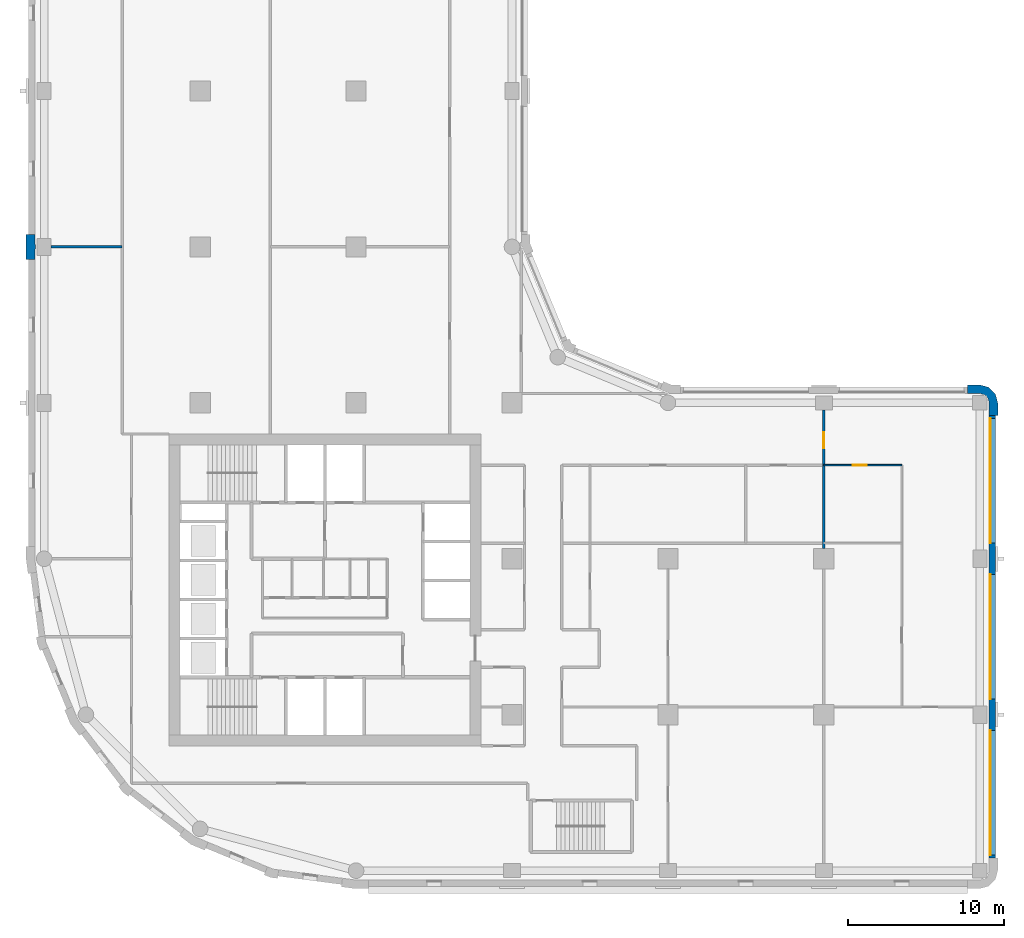
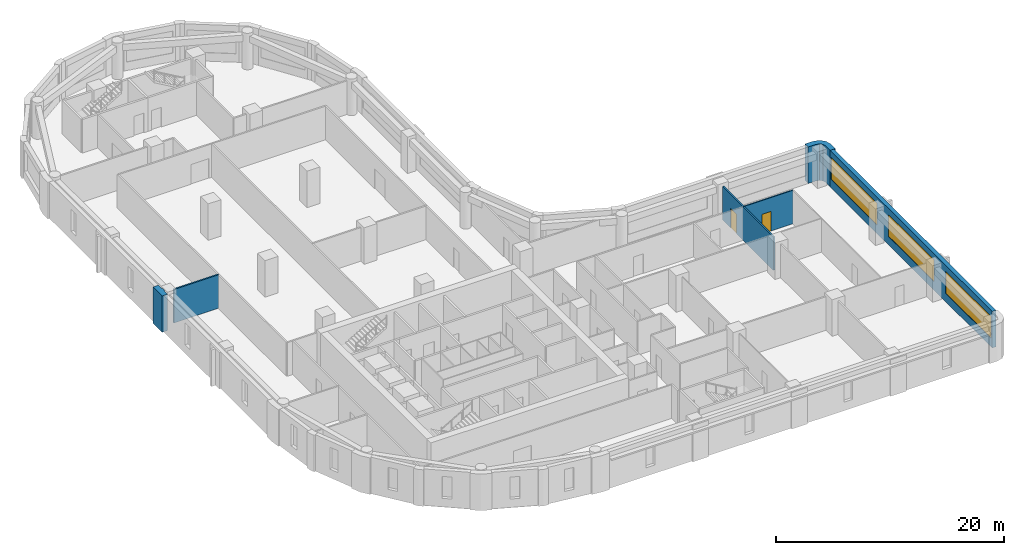
# One storey, part 5 of 10: 6 walls, 3 windows, 2 doors, 5 openings.
"""IFC4 building model written with IfcOpenShell, lengths in metres."""

from ifc_helpers import new_model, si_unit, direction, frame, frame_2d, origin, place, context, subcontext, project, spatial, polyline, rectangle, outline, extrude, material, layer, layer_set, type_object, element, fill, save


model = new_model("IFC4")

# Units and contexts
model_context = context("Model", 3, precision=1e-05, world=origin(), true_north=direction((0.0, 1.0)))
body_context = subcontext(model_context, "Body", "Model", "MODEL_VIEW")
ifc_project = project(units=[si_unit("LENGTHUNIT", "METRE"), si_unit("AREAUNIT", "SQUARE_METRE"), si_unit("VOLUMEUNIT", "CUBIC_METRE"), si_unit("PLANEANGLEUNIT", "RADIAN"), si_unit("MASSUNIT", "GRAM", prefix="KILO")], contexts=[model_context])

# Site, building, storey
site_placement = place(None, origin())
site = spatial("IfcSite", under=ifc_project, at=site_placement, CompositionType="ELEMENT")
building_placement = place(site_placement, origin())
building = spatial("IfcBuilding", under=site, at=building_placement, Name="Qaws Garden Tower", CompositionType="ELEMENT")
storey_placement = place(building_placement, frame((0.0, 0.0, 186.300048828125)))
storey = spatial("IfcBuildingStorey", under=building, at=storey_placement, Name="L45", CompositionType="ELEMENT", Elevation=186.300048828125)

# Wall
ifc_material_1 = material(Name="Clay facing brick masonry", Category="masonry")
ifc_layer_1 = layer(ifc_material_1, 0.550048828125)
ifc_layer_set_1 = layer_set([ifc_layer_1], Name="Clay facing brick masonry")
wall_type_1 = type_object("IfcWallType", Name="Brick corner pier 550 x 2400", PredefinedType="SOLIDWALL", material=ifc_layer_set_1)
placement = place(storey_placement, origin())
element("IfcWall", 1, at=placement, inside=storey, type_object=wall_type_1, Name="E-L45-pier-07", PredefinedType="SOLIDWALL", context=body_context, shape_type="SweptSolid", body=[
    extrude(outline(polyline([(61.0, 29.199951171875), (61.14990234375, 29.199951171875), (61.14990234375, 30.0), (60.995849609375, 30.574951171875), (60.574951171875, 30.995849609375), (60.0, 31.14990234375), (59.199951171875, 31.14990234375), (59.199951171875, 31.0), (59.199951171875, 30.60009765625), (60.0, 30.60009765625), (60.300048828125, 30.51953125), (60.51953125, 30.300048828125), (60.60009765625, 30.0), (60.60009765625, 29.199951171875), (61.0, 29.199951171875)])), origin(), (0.0, 0.0, 1.0), 3.89990234375),
])

# Wall, openings, windows
ifc_material_2 = material(Name="Clay facing brick masonry", Category="masonry")
ifc_layer_2 = layer(ifc_material_2, 0.39990234375)
ifc_layer_set_2 = layer_set([ifc_layer_2], Name="Clay facing brick masonry")
wall_type_2 = type_object("IfcWallType", Name="Brick infill wall 400", PredefinedType="SOLIDWALL", material=ifc_layer_set_2)
wall_2_placement = place(storey_placement, frame((60.800048828125, 0.800048828125, 0.0), z_axis=(0.0, 0.0, 1.0), x_axis=(0.0, 1.0, 0.0)))
wall_2 = element("IfcWall", 2, at=wall_2_placement, inside=storey, type_object=wall_type_2, Name="E-L45-infill-04", PredefinedType="SOLIDWALL", context=body_context, shape_type="SweptSolid", body=[
    extrude(rectangle(XDim=28.39990234375, YDim=0.39990234375, at=frame_2d((14.199951171875, 0.0))), origin(), (0.0, 0.0, 1.0), 3.89990234375),
])
opening_1_placement = place(wall_2_placement, frame((0.199951171875, 0.0, 0.89990234375)))
opening_1 = element("IfcOpeningElement", 3, at=opening_1_placement, cuts=wall_2, Name="Opening W01", PredefinedType="OPENING", context=body_context, shape_type="SweptSolid", body=[
    extrude(rectangle(XDim=8.0, YDim=2.35009765625, at=frame_2d((4.0, 1.175048828125))), frame((0.0, 0.2099609375, 0.0), z_axis=(0.0, -1.0, 0.0), x_axis=(1.0, 0.0, 0.0)), (0.0, 0.0, 1.0), 0.419921875),
])
opening_2_placement = place(wall_2_placement, frame((10.199951171875, 0.0, 0.89990234375)))
opening_2 = element("IfcOpeningElement", 4, at=opening_2_placement, cuts=wall_2, Name="Opening W01", PredefinedType="OPENING", context=body_context, shape_type="SweptSolid", body=[
    extrude(rectangle(XDim=8.0, YDim=2.35009765625, at=frame_2d((4.0, 1.175048828125))), frame((0.0, 0.2099609375, 0.0), z_axis=(0.0, -1.0, 0.0), x_axis=(1.0, 0.0, 0.0)), (0.0, 0.0, 1.0), 0.419921875),
])
opening_3_placement = place(wall_2_placement, frame((20.199951171875, 0.0, 0.89990234375)))
opening_3 = element("IfcOpeningElement", 5, at=opening_3_placement, cuts=wall_2, Name="Opening W01", PredefinedType="OPENING", context=body_context, shape_type="SweptSolid", body=[
    extrude(rectangle(XDim=8.0, YDim=2.35009765625, at=frame_2d((4.0, 1.175048828125))), frame((0.0, 0.2099609375, 0.0), z_axis=(0.0, -1.0, 0.0), x_axis=(1.0, 0.0, 0.0)), (0.0, 0.0, 1.0), 0.419921875),
])
ifc_material_3 = material(Name="Aluminium framed window, clear glazing", Category="aluminium")
window_type = type_object("IfcWindowType", Name="Ribbon window 8000 x 2350", PartitioningType="DOUBLE_PANEL_VERTICAL", PredefinedType="WINDOW", material=ifc_material_3)
window_1_placement = place(opening_1_placement, origin())
window_1 = element("IfcWindow", 6, at=window_1_placement, inside=storey, type_object=window_type, Name="E-L45-window-04-0", OverallHeight=2.35009765625, OverallWidth=8.0, PartitioningType="SINGLE_PANEL", PredefinedType="WINDOW", context=body_context, shape_type="SweptSolid", body=[
    extrude(rectangle(XDim=8.0, YDim=2.35009765625, at=frame_2d((4.0, 1.175048828125))), frame((0.0, 0.159912109375, 0.0), z_axis=(0.0, -1.0, 0.0), x_axis=(1.0, 0.0, 0.0)), (0.0, 0.0, 1.0), 0.06005859375),
])
fill(opening_1, window_1)
window_2_placement = place(opening_2_placement, origin())
window_2 = element("IfcWindow", 7, at=window_2_placement, inside=storey, type_object=window_type, Name="E-L45-window-05-0", OverallHeight=2.35009765625, OverallWidth=8.0, PartitioningType="SINGLE_PANEL", PredefinedType="WINDOW", context=body_context, shape_type="SweptSolid", body=[
    extrude(rectangle(XDim=8.0, YDim=2.35009765625, at=frame_2d((4.0, 1.175048828125))), frame((0.0, 0.159912109375, 0.0), z_axis=(0.0, -1.0, 0.0), x_axis=(1.0, 0.0, 0.0)), (0.0, 0.0, 1.0), 0.06005859375),
])
fill(opening_2, window_2)
window_3_placement = place(opening_3_placement, origin())
window_3 = element("IfcWindow", 8, at=window_3_placement, inside=storey, type_object=window_type, Name="E-L45-window-06-0", OverallHeight=2.35009765625, OverallWidth=8.0, PartitioningType="SINGLE_PANEL", PredefinedType="WINDOW", context=body_context, shape_type="SweptSolid", body=[
    extrude(rectangle(XDim=8.0, YDim=2.35009765625, at=frame_2d((4.0, 1.175048828125))), frame((0.0, 0.159912109375, 0.0), z_axis=(0.0, -1.0, 0.0), x_axis=(1.0, 0.0, 0.0)), (0.0, 0.0, 1.0), 0.06005859375),
])
fill(opening_3, window_3)

# Wall
ifc_material_4 = material(Name="Clay facing brick masonry", Category="masonry")
ifc_layer_3 = layer(ifc_material_4, 0.550048828125)
ifc_layer_set_3 = layer_set([ifc_layer_3], Name="Clay facing brick masonry")
wall_type_3 = type_object("IfcWallType", Name="Brick pier 550 x 1600", PredefinedType="SOLIDWALL", material=ifc_layer_set_3)
element("IfcWall", 9, at=placement, inside=storey, type_object=wall_type_3, Name="E-L45-pier-23", PredefinedType="SOLIDWALL", context=body_context, shape_type="SweptSolid", body=[
    extrude(outline(polyline([(-0.60009765625, 39.199951171875), (-0.60009765625, 39.85009765625), (-0.550048828125, 39.85009765625), (-0.550048828125, 40.14990234375), (-0.60009765625, 40.14990234375), (-0.60009765625, 40.800048828125), (-1.0, 40.800048828125), (-1.14990234375, 40.800048828125), (-1.14990234375, 40.0), (-1.14990234375, 39.199951171875), (-1.0, 39.199951171875), (-0.60009765625, 39.199951171875)])), origin(), (0.0, 0.0, 1.0), 3.89990234375),
])

# Wall, opening, door
ifc_material_5 = material(Name="Gypsum board partition")
ifc_layer_4 = layer(ifc_material_5, 0.10009765625)
ifc_layer_set_4 = layer_set([ifc_layer_4], Name="Gypsum board partition")
wall_type_4 = type_object("IfcWallType", Name="PARTITION 100", PredefinedType="PARTITIONING", material=ifc_layer_set_4)
wall_4_placement = place(storey_placement, frame((50.0, 26.0, 0.0), z_axis=(0.0, 0.0, 1.0), x_axis=(1.0, 0.0, 0.0)))
wall_4 = element("IfcWall", 10, at=wall_4_placement, inside=storey, type_object=wall_type_4, Name="O-L45-wall-007", PredefinedType="PARTITIONING", context=body_context, shape_type="SweptSolid", body=[
    extrude(rectangle(XDim=5.0, YDim=0.10009765625, at=frame_2d((2.5, 0.0))), origin(), (0.0, 0.0, 1.0), 3.579833984375),
])
opening_4_placement = place(wall_4_placement, frame((1.85009765625, 0.0, 0.0)))
opening_4 = element("IfcOpeningElement", 11, at=opening_4_placement, cuts=wall_4, Name="Opening B524", PredefinedType="OPENING", context=body_context, shape_type="SweptSolid", body=[
    extrude(rectangle(XDim=0.89990234375, YDim=2.10009765625, at=frame_2d((0.449951171875, 1.050048828125))), frame((0.0, 0.06005859375, 0.0), z_axis=(0.0, -1.0, 0.0), x_axis=(1.0, 0.0, 0.0)), (0.0, 0.0, 1.0), 0.1201171875),
])
ifc_material_6 = material(Name="Timber door leaf", Category="wood")
door_type_1 = type_object("IfcDoorType", Name="OFFICE DOOR 900 X 2100", OperationType="SINGLE_SWING_LEFT", PredefinedType="DOOR", material=ifc_material_6)
door_1_placement = place(opening_4_placement, frame((0.89990234375, 0.0, 0.0), z_axis=(0.0, 0.0, 1.0), x_axis=(-1.0, 0.0, 0.0)))
door_1 = element("IfcDoor", 12, at=door_1_placement, inside=storey, type_object=door_type_1, Name="O-L45-door-024", OperationType="SINGLE_SWING_RIGHT", OverallHeight=2.10009765625, OverallWidth=0.89990234375, PredefinedType="DOOR", context=body_context, shape_type="SweptSolid", body=[
    extrude(rectangle(XDim=0.89990234375, YDim=2.10009765625, at=frame_2d((0.449951171875, 1.050048828125))), frame((0.0, 0.02490234375, 0.0), z_axis=(0.0, -1.0, 0.0), x_axis=(1.0, 0.0, 0.0)), (0.0, 0.0, 1.0), 0.050048828125),
])
fill(opening_4, door_1)

ifc_material_7 = material(Name="Gypsum board partition")
ifc_layer_5 = layer(ifc_material_7, 0.14990234375)
ifc_layer_set_5 = layer_set([ifc_layer_5], Name="Gypsum board partition")
wall_type_5 = type_object("IfcWallType", Name="PARTITION 150 EI 60", PredefinedType="PARTITIONING", material=ifc_layer_set_5)
wall_5_placement = place(storey_placement, frame((50.0, 20.64990234375, 0.0), z_axis=(0.0, 0.0, 1.0), x_axis=(0.0, 1.0, 0.0)))
wall_5 = element("IfcWall", 13, at=wall_5_placement, inside=storey, type_object=wall_type_5, Name="O-L45-wall-027", PredefinedType="PARTITIONING", context=body_context, shape_type="SweptSolid", body=[
    extrude(rectangle(XDim=8.900146484375, YDim=0.14990234375, at=frame_2d((4.4501953125, 0.0))), origin(), (0.0, 0.0, 1.0), 3.579833984375),
])
opening_5_placement = place(wall_5_placement, frame((6.449951171875, 0.0, 0.0)))
opening_5 = element("IfcOpeningElement", 14, at=opening_5_placement, cuts=wall_5, Name="Opening B505", PredefinedType="OPENING", context=body_context, shape_type="SweptSolid", body=[
    extrude(rectangle(XDim=1.0, YDim=2.10009765625, at=frame_2d((0.5, 1.050048828125))), frame((0.0, 0.0849609375, 0.0), z_axis=(0.0, -1.0, 0.0), x_axis=(1.0, 0.0, 0.0)), (0.0, 0.0, 1.0), 0.169921875),
])
ifc_material_8 = material(Name="Timber door leaf", Category="wood")
door_type_2 = type_object("IfcDoorType", Name="TENANCY ENTRANCE DOOR 1000 X 2100", OperationType="SINGLE_SWING_LEFT", PredefinedType="DOOR", material=ifc_material_8)
door_2_placement = place(opening_5_placement, frame((1.0, 0.0, 0.0), z_axis=(0.0, 0.0, 1.0), x_axis=(-1.0, 0.0, 0.0)))
door_2 = element("IfcDoor", 15, at=door_2_placement, inside=storey, type_object=door_type_2, Name="O-L45-door-005", OperationType="SINGLE_SWING_RIGHT", OverallHeight=2.10009765625, OverallWidth=1.0, PredefinedType="DOOR", context=body_context, shape_type="SweptSolid", body=[
    extrude(rectangle(XDim=1.0, YDim=2.10009765625, at=frame_2d((0.5, 1.050048828125))), frame((0.0, 0.02490234375, 0.0), z_axis=(0.0, -1.0, 0.0), x_axis=(1.0, 0.0, 0.0)), (0.0, 0.0, 1.0), 0.050048828125),
])
fill(opening_5, door_2)

# Wall
wall_6_placement = place(storey_placement, frame((0.449951171875, 40.0, 0.0), z_axis=(0.0, 0.0, 1.0), x_axis=(1.0, 0.0, 0.0)))
element("IfcWall", 16, at=wall_6_placement, inside=storey, type_object=wall_type_5, Name="O-L45-wall-046", PredefinedType="PARTITIONING", context=body_context, shape_type="SweptSolid", body=[
    extrude(rectangle(XDim=4.550048828125, YDim=0.14990234375, at=frame_2d((2.27490234375, 0.0))), origin(), (0.0, 0.0, 1.0), 3.579833984375),
])

save(model, "model.ifc")
